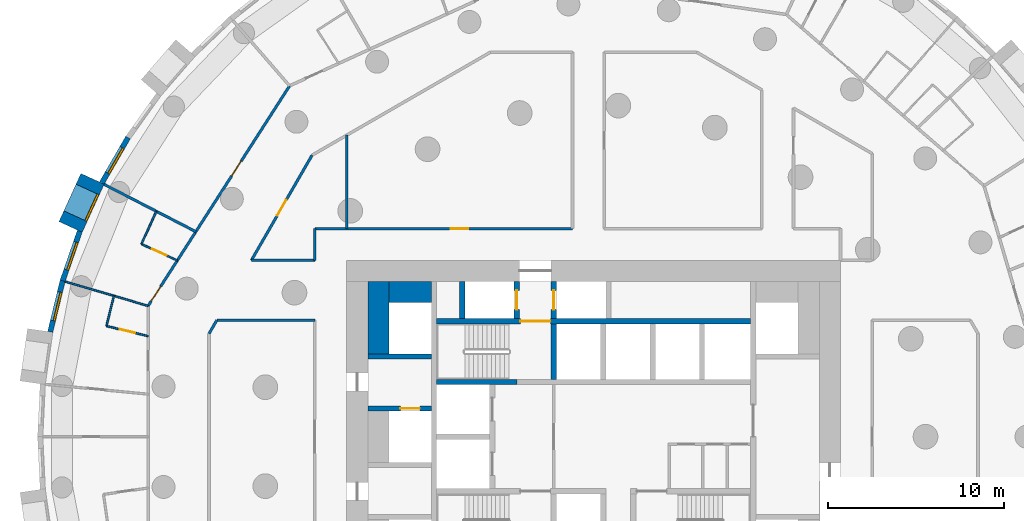
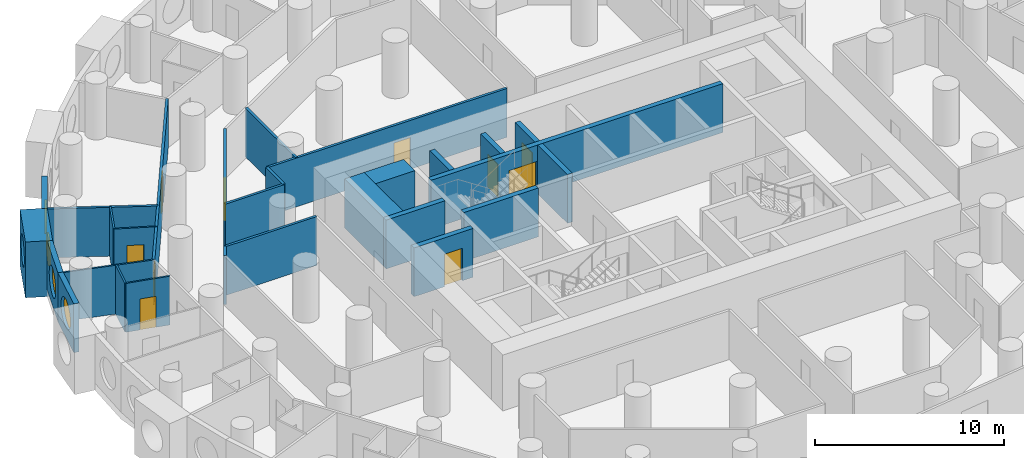
# One storey, part 7 of 12: 29 walls, 10 doors, 4 windows, 14 openings.
"""IFC4 building model written with IfcOpenShell, lengths in metres."""

from ifc_helpers import new_model, si_unit, direction, frame, frame_2d, origin, origin_2d, place, context, subcontext, project, spatial, rectangle, circle, extrude, material, layer, layer_set, type_object, element, fill, save


model = new_model("IFC4")

# Units and contexts
model_context = context("Model", 3, precision=1e-05, world=origin(), true_north=direction((0.0, 1.0)))
body_context = subcontext(model_context, "Body", "Model", "MODEL_VIEW")
ifc_project = project(units=[si_unit("LENGTHUNIT", "METRE"), si_unit("AREAUNIT", "SQUARE_METRE"), si_unit("VOLUMEUNIT", "CUBIC_METRE"), si_unit("PLANEANGLEUNIT", "RADIAN"), si_unit("MASSUNIT", "GRAM", prefix="KILO")], contexts=[model_context])

# Site, building, storey
site_placement = place(None, origin())
site = spatial("IfcSite", under=ifc_project, at=site_placement, CompositionType="ELEMENT")
building_placement = place(site_placement, origin())
building = spatial("IfcBuilding", under=site, at=building_placement, Name="Tracery Tower", CompositionType="ELEMENT")
storey_placement = place(building_placement, frame((0.0, 0.0, 111.0)))
storey = spatial("IfcBuildingStorey", under=building, at=storey_placement, Name="L28", CompositionType="ELEMENT", Elevation=111.0)

# Walls
ifc_material_1 = material(Name="Concrete C60/75", Category="concrete")
ifc_layer_1 = layer(ifc_material_1, 1.199951171875)
ifc_layer_set_1 = layer_set([ifc_layer_1], Name="Core strip wall 1200 C60")
wall_type_1 = type_object("IfcWallType", Name="Core strip wall 1200 C60", PredefinedType="SOLIDWALL", material=ifc_layer_set_1)
wall_1_placement = place(storey_placement, frame((-12.199951171875, 4.699951171875, 0.0), z_axis=(0.0, 0.0, 1.0), x_axis=(0.0, 1.0, 0.0)))
element("IfcWall", 1, at=wall_1_placement, inside=storey, type_object=wall_type_1, Name="L28 wing strip -1 4.55", PredefinedType="SOLIDWALL", context=body_context, shape_type="SweptSolid", body=[
    extrude(rectangle(XDim=4.10009765625, YDim=1.199951171875, at=frame_2d((2.050048828125, 0.0))), origin(), (0.0, 0.0, 1.0), 3.14990234375),
])
wall_2_placement = place(storey_placement, frame((-11.60009765625, 8.199951171875, 0.0), z_axis=(0.0, 0.0, 1.0), x_axis=(1.0, 0.0, 0.0)))
element("IfcWall", 2, at=wall_2_placement, inside=storey, type_object=wall_type_1, Name="L28 wing corner -1 +8.2", PredefinedType="SOLIDWALL", context=body_context, shape_type="SweptSolid", body=[
    extrude(rectangle(XDim=2.400146484375, YDim=1.199951171875, at=frame_2d((1.2001953125, 0.0))), origin(), (0.0, 0.0, 1.0), 3.14990234375),
])

# Wall, opening, window
ifc_material_2 = material(Name="Precast concrete C50/60", Category="concrete")
ifc_layer_2 = layer(ifc_material_2, 1.449951171875)
ifc_layer_set_2 = layer_set([ifc_layer_2], Name="Deep-set bay unit 3000 x 3600, slab edge 450")
wall_type_2 = type_object("IfcWallType", Name="Deep-set bay unit 3000 x 3600, slab edge 450", PredefinedType="ELEMENTEDWALL", material=ifc_layer_set_2)
wall_3_placement = place(storey_placement, frame((-28.40673828125, 14.6220703125, -0.449951171875), z_axis=(0.0, 0.0, 1.0), x_axis=(-0.415427028395, -0.909626508012, 0.0)))
wall_3 = element("IfcWall", 3, at=wall_3_placement, inside=storey, type_object=wall_type_2, Name="Deep-set bay unit 29 at L28", PredefinedType="ELEMENTEDWALL", context=body_context, shape_type="SweptSolid", body=[
    extrude(rectangle(XDim=3.000244140625, YDim=1.449951171875, at=frame_2d((1.5, 0.0))), origin(), (0.0, 0.0, 1.0), 3.599853515625),
])
opening_1_placement = place(wall_3_placement, frame((1.5, 0.0, 2.0)))
opening_1 = element("IfcOpeningElement", 4, at=opening_1_placement, cuts=wall_3, Name="Opening WN1", PredefinedType="OPENING", context=body_context, shape_type="SweptSolid", body=[
    extrude(circle(Radius=0.9000244140625, at=origin_2d()), frame((0.0, 0.73486328125, 0.0), z_axis=(0.0, -1.0, 0.0), x_axis=(1.0, 0.0, 0.0)), (0.0, 0.0, 1.0), 1.469970703125),
])
ifc_material_3 = material(Name="Aluminium frame with tinted double glazing", Category="aluminium")
window_type = type_object("IfcWindowType", Name="Round window 1800", PartitioningType="SINGLE_PANEL", PredefinedType="WINDOW", material=ifc_material_3)
window_1_placement = place(opening_1_placement, origin())
window_1 = element("IfcWindow", 5, at=window_1_placement, inside=storey, type_object=window_type, Name="Round window 29 at L28", OverallHeight=1.800048828125, OverallWidth=1.800048828125, PartitioningType="SINGLE_PANEL", PredefinedType="WINDOW", context=body_context, shape_type="SweptSolid", body=[
    extrude(circle(Radius=0.9000244140625, at=origin_2d()), frame((0.0, 0.69482421875, 0.0), z_axis=(0.0, -1.0, 0.0), x_axis=(1.0, 0.0, 0.0)), (0.0, 0.0, 1.0), 0.10009765625),
])
fill(opening_1, window_1)

ifc_material_4 = material(Name="Precast concrete C50/60", Category="concrete")
ifc_layer_3 = layer(ifc_material_4, 0.300048828125)
ifc_layer_set_3 = layer_set([ifc_layer_3], Name="Facade panel 3000 x 3150")
wall_type_3 = type_object("IfcWallType", Name="Facade panel 3000 x 3150", PredefinedType="SOLIDWALL", material=ifc_layer_set_3)
wall_4_placement = place(storey_placement, frame((-26.393798828125, 16.96240234375, 0.0), z_axis=(0.0, 0.0, 1.0), x_axis=(-0.500025049464, -0.866010940986, 0.0)))
wall_4 = element("IfcWall", 6, at=wall_4_placement, inside=storey, type_object=wall_type_3, Name="Facade panel 28 at L28", PredefinedType="SOLIDWALL", context=body_context, shape_type="SweptSolid", body=[
    extrude(rectangle(XDim=2.979736328125, YDim=0.300048828125, at=frame_2d((1.48974609375, 0.0))), origin(), (0.0, 0.0, 1.0), 3.14990234375),
])
opening_2_placement = place(wall_4_placement, frame((1.48974609375, 0.0, 1.5498046875)))
opening_2 = element("IfcOpeningElement", 7, at=opening_2_placement, cuts=wall_4, Name="Opening WN1", PredefinedType="OPENING", context=body_context, shape_type="SweptSolid", body=[
    extrude(circle(Radius=0.9000244140625, at=origin_2d()), frame((0.0, 0.159912109375, 0.0), z_axis=(0.0, -1.0, 0.0), x_axis=(1.0, 0.0, 0.0)), (0.0, 0.0, 1.0), 0.320068359375),
])
window_2_placement = place(opening_2_placement, origin())
window_2 = element("IfcWindow", 8, at=window_2_placement, inside=storey, type_object=window_type, Name="Round window 28 at L28", OverallHeight=1.800048828125, OverallWidth=1.800048828125, PartitioningType="SINGLE_PANEL", PredefinedType="WINDOW", context=body_context, shape_type="SweptSolid", body=[
    extrude(circle(Radius=0.9000244140625, at=origin_2d()), frame((0.0, 0.1201171875, 0.0), z_axis=(0.0, -1.0, 0.0), x_axis=(1.0, 0.0, 0.0)), (0.0, 0.0, 1.0), 0.10009765625),
])
fill(opening_2, window_2)

wall_5_placement = place(storey_placement, frame((-29.12890625, 11.655029296875, 0.0), z_axis=(0.0, 0.0, 1.0), x_axis=(-0.327071167136, -0.944999709856, 0.0)))
wall_5 = element("IfcWall", 9, at=wall_5_placement, inside=storey, type_object=wall_type_3, Name="Facade panel 30 at L28", PredefinedType="SOLIDWALL", context=body_context, shape_type="SweptSolid", body=[
    extrude(rectangle(XDim=2.979736328125, YDim=0.300048828125, at=frame_2d((1.48974609375, 0.0))), origin(), (0.0, 0.0, 1.0), 3.14990234375),
])
opening_3_placement = place(wall_5_placement, frame((1.48974609375, 0.0, 1.5498046875)))
opening_3 = element("IfcOpeningElement", 10, at=opening_3_placement, cuts=wall_5, Name="Opening WN1", PredefinedType="OPENING", context=body_context, shape_type="SweptSolid", body=[
    extrude(circle(Radius=0.9000244140625, at=origin_2d()), frame((0.0, 0.159912109375, 0.0), z_axis=(0.0, -1.0, 0.0), x_axis=(1.0, 0.0, 0.0)), (0.0, 0.0, 1.0), 0.320068359375),
])
window_3_placement = place(opening_3_placement, origin())
window_3 = element("IfcWindow", 11, at=window_3_placement, inside=storey, type_object=window_type, Name="Round window 30 at L28", OverallHeight=1.800048828125, OverallWidth=1.800048828125, PartitioningType="SINGLE_PANEL", PredefinedType="WINDOW", context=body_context, shape_type="SweptSolid", body=[
    extrude(circle(Radius=0.9000244140625, at=origin_2d()), frame((0.0, 0.1201171875, 0.0), z_axis=(0.0, -1.0, 0.0), x_axis=(1.0, 0.0, 0.0)), (0.0, 0.0, 1.0), 0.10009765625),
])
fill(opening_3, window_3)

wall_6_placement = place(storey_placement, frame((-30.103515625, 8.839111328125, 0.0), z_axis=(0.0, 0.0, 1.0), x_axis=(-0.235743081534, -0.971815414319, 0.0)))
wall_6 = element("IfcWall", 12, at=wall_6_placement, inside=storey, type_object=wall_type_3, Name="Facade panel 31 at L28", PredefinedType="SOLIDWALL", context=body_context, shape_type="SweptSolid", body=[
    extrude(rectangle(XDim=2.9794921875, YDim=0.300048828125, at=frame_2d((1.48974609375, 0.0))), origin(), (0.0, 0.0, 1.0), 3.14990234375),
])
opening_4_placement = place(wall_6_placement, frame((1.48974609375, 0.0, 1.5498046875)))
opening_4 = element("IfcOpeningElement", 13, at=opening_4_placement, cuts=wall_6, Name="Opening WN1", PredefinedType="OPENING", context=body_context, shape_type="SweptSolid", body=[
    extrude(circle(Radius=0.9000244140625, at=origin_2d()), frame((0.0, 0.159912109375, 0.0), z_axis=(0.0, -1.0, 0.0), x_axis=(1.0, 0.0, 0.0)), (0.0, 0.0, 1.0), 0.320068359375),
])
window_4_placement = place(opening_4_placement, origin())
window_4 = element("IfcWindow", 14, at=window_4_placement, inside=storey, type_object=window_type, Name="Round window 31 at L28", OverallHeight=1.800048828125, OverallWidth=1.800048828125, PartitioningType="SINGLE_PANEL", PredefinedType="WINDOW", context=body_context, shape_type="SweptSolid", body=[
    extrude(circle(Radius=0.9000244140625, at=origin_2d()), frame((0.0, 0.1201171875, 0.0), z_axis=(0.0, -1.0, 0.0), x_axis=(1.0, 0.0, 0.0)), (0.0, 0.0, 1.0), 0.10009765625),
])
fill(opening_4, window_4)

# Walls
ifc_material_5 = material(Name="Plasterboard on steel studs", Category="steel")
ifc_layer_4 = layer(ifc_material_5, 0.10009765625)
ifc_layer_set_4 = layer_set([ifc_layer_4], Name="Partition 100 stud")
wall_type_4 = type_object("IfcWallType", Name="Partition 100 stud", PredefinedType="PARTITIONING", material=ifc_layer_set_4)
wall_7_placement = place(storey_placement, frame((-29.958984375, 8.797119140625, 0.0), z_axis=(0.0, 0.0, 1.0), x_axis=(0.959434394536, -0.281931982189, 0.0)))
element("IfcWall", 15, at=wall_7_placement, inside=storey, type_object=wall_type_4, Name="Stud partition RA8-098", PredefinedType="PARTITIONING", context=body_context, shape_type="SweptSolid", body=[
    extrude(rectangle(XDim=2.876708984375, YDim=0.10009765625, at=frame_2d((1.4384765625, 0.0))), origin(), (0.0, 0.0, 1.0), 3.14990234375),
])
ifc_material_6 = material(Name="Plasterboard on steel studs", Category="steel")
ifc_layer_5 = layer(ifc_material_6, 0.10009765625)
ifc_layer_set_5 = layer_set([ifc_layer_5], Name="Partition 100 wet wall")
wall_type_5 = type_object("IfcWallType", Name="Partition 100 wet wall", PredefinedType="PARTITIONING", material=ifc_layer_set_5)
wall_8_placement = place(storey_placement, frame((-27.614990234375, 6.27294921875, 0.0), z_axis=(0.0, 0.0, 1.0), x_axis=(0.23598051436, 0.971757787127, 0.0)))
element("IfcWall", 16, at=wall_8_placement, inside=storey, type_object=wall_type_5, Name="Wet wall RA8-096", PredefinedType="PARTITIONING", context=body_context, shape_type="SweptSolid", body=[
    extrude(rectangle(XDim=1.762939453125, YDim=0.10009765625, at=frame_2d((0.88134765625, 0.0))), origin(), (0.0, 0.0, 1.0), 3.14990234375),
])

# Wall, opening, door
wall_9_placement = place(storey_placement, frame((-27.614990234375, 6.27294921875, 0.0), z_axis=(0.0, 0.0, 1.0), x_axis=(0.971814550876, -0.235746640921, 0.0)))
wall_9 = element("IfcWall", 17, at=wall_9_placement, inside=storey, type_object=wall_type_5, Name="Wet wall RA8-097", PredefinedType="PARTITIONING", context=body_context, shape_type="SweptSolid", body=[
    extrude(rectangle(XDim=2.4306640625, YDim=0.10009765625, at=frame_2d((1.21533203125, 0.0))), origin(), (0.0, 0.0, 1.0), 3.14990234375),
])
opening_5_placement = place(wall_9_placement, frame((0.764892578125, 0.0, 0.0)))
opening_5 = element("IfcOpeningElement", 18, at=opening_5_placement, cuts=wall_9, Name="Opening RA8-35", PredefinedType="OPENING", context=body_context, shape_type="SweptSolid", body=[
    extrude(rectangle(XDim=0.89990234375, YDim=2.0, at=frame_2d((0.449951171875, 1.0))), frame((0.0, 0.050048828125, 0.0), z_axis=(0.0, -1.0, 0.0), x_axis=(1.0, 0.0, 0.0)), (0.0, 0.0, 1.0), 0.10009765625),
])
ifc_material_7 = material(Name="Timber door leaf", Category="wood")
door_type_1 = type_object("IfcDoorType", Name="Door shower room 900", OperationType="NOTDEFINED", PredefinedType="DOOR", material=ifc_material_7)
door_1_placement = place(opening_5_placement, origin())
door_1 = element("IfcDoor", 19, at=door_1_placement, inside=storey, type_object=door_type_1, Name="Shower room door RA8-35", OperationType="SINGLE_SWING_LEFT", OverallHeight=2.0, OverallWidth=0.89990234375, PredefinedType="DOOR", context=body_context, shape_type="SweptSolid", body=[
    extrude(rectangle(XDim=0.89990234375, YDim=2.0, at=frame_2d((0.449951171875, 1.0))), frame((0.0, 0.02490234375, 0.0), z_axis=(0.0, -1.0, 0.0), x_axis=(1.0, 0.0, 0.0)), (0.0, 0.0, 1.0), 0.050048828125),
])
fill(opening_5, door_1)

# Walls
wall_10_placement = place(storey_placement, frame((-27.198974609375, 7.986083984375, 0.0), z_axis=(0.0, 0.0, 1.0), x_axis=(0.959541665722, -0.281566673708, 0.0)))
element("IfcWall", 20, at=wall_10_placement, inside=storey, type_object=wall_type_5, Name="Wet wall RA8-100", PredefinedType="PARTITIONING", context=body_context, shape_type="SweptSolid", body=[
    extrude(rectangle(XDim=2.028076171875, YDim=0.10009765625, at=frame_2d((1.01416015625, 0.0))), origin(), (0.0, 0.0, 1.0), 3.14990234375),
])
wall_11_placement = place(storey_placement, frame((-25.635986328125, 10.922119140625, 0.0), z_axis=(0.0, 0.0, 1.0), x_axis=(0.415361197493, 0.90965657015, 0.0)))
element("IfcWall", 21, at=wall_11_placement, inside=storey, type_object=wall_type_5, Name="Wet wall RA8-101", PredefinedType="PARTITIONING", context=body_context, shape_type="SweptSolid", body=[
    extrude(rectangle(XDim=2.041259765625, YDim=0.10009765625, at=frame_2d((1.0205078125, 0.0))), origin(), (0.0, 0.0, 1.0), 3.14990234375),
])

# Wall, opening, door
wall_12_placement = place(storey_placement, frame((-25.635986328125, 10.922119140625, 0.0), z_axis=(0.0, 0.0, 1.0), x_axis=(0.909641485443, -0.415394231978, 0.0)))
wall_12 = element("IfcWall", 22, at=wall_12_placement, inside=storey, type_object=wall_type_5, Name="Wet wall RA8-102", PredefinedType="PARTITIONING", context=body_context, shape_type="SweptSolid", body=[
    extrude(rectangle(XDim=2.24169921875, YDim=0.10009765625, at=frame_2d((1.120849609375, 0.0))), origin(), (0.0, 0.0, 1.0), 3.14990234375),
])
opening_6_placement = place(wall_12_placement, frame((0.6708984375, 0.0, 0.0)))
opening_6 = element("IfcOpeningElement", 23, at=opening_6_placement, cuts=wall_12, Name="Opening RA8-37", PredefinedType="OPENING", context=body_context, shape_type="SweptSolid", body=[
    extrude(rectangle(XDim=0.89990234375, YDim=2.0400390625, at=frame_2d((0.449951171875, 1.02001953125))), frame((0.0, 0.050048828125, 0.0), z_axis=(0.0, -1.0, 0.0), x_axis=(1.0, 0.0, 0.0)), (0.0, 0.0, 1.0), 0.10009765625),
])
ifc_material_8 = material(Name="Timber door leaf", Category="wood")
door_type_2 = type_object("IfcDoorType", Name="Door en-suite 900", OperationType="NOTDEFINED", PredefinedType="DOOR", material=ifc_material_8)
door_2_placement = place(opening_6_placement, origin())
door_2 = element("IfcDoor", 24, at=door_2_placement, inside=storey, type_object=door_type_2, Name="En-suite door RA8-37", OperationType="SINGLE_SWING_RIGHT", OverallHeight=2.0400390625, OverallWidth=0.89990234375, PredefinedType="DOOR", context=body_context, shape_type="SweptSolid", body=[
    extrude(rectangle(XDim=0.89990234375, YDim=2.0400390625, at=frame_2d((0.449951171875, 1.02001953125))), frame((0.0, 0.02490234375, 0.0), z_axis=(0.0, -1.0, 0.0), x_axis=(1.0, 0.0, 0.0)), (0.0, 0.0, 1.0), 0.050048828125),
])
fill(opening_6, door_2)

# Walls
ifc_material_9 = material(Name="Plasterboard on steel studs", Category="steel")
ifc_layer_6 = layer(ifc_material_9, 0.14990234375)
ifc_layer_set_6 = layer_set([ifc_layer_6], Name="Partition 150 acoustic unit wall")
wall_type_6 = type_object("IfcWallType", Name="Partition 150 acoustic unit wall", PredefinedType="PARTITIONING", material=ifc_layer_set_6)
wall_13_placement = place(storey_placement, frame((-14.0, 11.800048828125, 0.0), z_axis=(0.0, 0.0, 1.0), x_axis=(0.0, 1.0, 0.0)))
element("IfcWall", 25, at=wall_13_placement, inside=storey, type_object=wall_type_6, Name="Unit wall RA8-059", PredefinedType="PARTITIONING", context=body_context, shape_type="SweptSolid", body=[
    extrude(rectangle(XDim=5.2919921875, YDim=0.14990234375, at=frame_2d((2.64599609375, 0.0))), origin(), (0.0, 0.0, 1.0), 3.14990234375),
])
wall_14_placement = place(storey_placement, frame((-27.7529296875, 14.30810546875, 0.0), z_axis=(0.0, 0.0, 1.0), x_axis=(0.88877955153, -0.45833493079, 0.0)))
element("IfcWall", 26, at=wall_14_placement, inside=storey, type_object=wall_type_6, Name="Unit wall RA8-094", PredefinedType="PARTITIONING", context=body_context, shape_type="SweptSolid", body=[
    extrude(rectangle(XDim=5.856201171875, YDim=0.14990234375, at=frame_2d((2.92822265625, 0.0))), origin(), (0.0, 0.0, 1.0), 3.14990234375),
])

# Wall, opening, door
ifc_material_10 = material(Name="Plasterboard on steel studs", Category="steel")
ifc_layer_7 = layer(ifc_material_10, 0.14990234375)
ifc_layer_set_7 = layer_set([ifc_layer_7], Name="Partition 150 corridor wall")
wall_type_7 = type_object("IfcWallType", Name="Partition 150 corridor wall", PredefinedType="PARTITIONING", material=ifc_layer_set_7)
wall_15_placement = place(storey_placement, frame((-15.800048828125, 11.800048828125, 0.0), z_axis=(0.0, 0.0, 1.0), x_axis=(1.0, 0.0, 0.0)))
wall_15 = element("IfcWall", 27, at=wall_15_placement, inside=storey, type_object=wall_type_7, Name="Corridor wall RA8-001", PredefinedType="PARTITIONING", context=body_context, shape_type="SweptSolid", body=[
    extrude(rectangle(XDim=14.612060546875, YDim=0.14990234375, at=frame_2d((7.30615234375, 0.0))), origin(), (0.0, 0.0, 1.0), 3.14990234375),
])
opening_7_placement = place(wall_15_placement, frame((7.7041015625, 0.0, 0.0)))
opening_7 = element("IfcOpeningElement", 28, at=opening_7_placement, cuts=wall_15, Name="Opening RA8-01", PredefinedType="OPENING", context=body_context, shape_type="SweptSolid", body=[
    extrude(rectangle(XDim=1.0, YDim=2.0400390625, at=frame_2d((0.5, 1.02001953125))), frame((0.0, 0.074951171875, 0.0), z_axis=(0.0, -1.0, 0.0), x_axis=(1.0, 0.0, 0.0)), (0.0, 0.0, 1.0), 0.14990234375),
])
ifc_material_11 = material(Name="Timber door leaf", Category="wood")
door_type_3 = type_object("IfcDoorType", Name="Door communal room 1000", OperationType="NOTDEFINED", PredefinedType="DOOR", material=ifc_material_11)
door_3_placement = place(opening_7_placement, origin())
door_3 = element("IfcDoor", 29, at=door_3_placement, inside=storey, type_object=door_type_3, Name="Communal room door RA8-01", OperationType="SINGLE_SWING_RIGHT", OverallHeight=2.0400390625, OverallWidth=1.0, PredefinedType="DOOR", context=body_context, shape_type="SweptSolid", body=[
    extrude(rectangle(XDim=1.0, YDim=2.0400390625, at=frame_2d((0.5, 1.02001953125))), frame((0.0, 0.02490234375, 0.0), z_axis=(0.0, -1.0, 0.0), x_axis=(1.0, 0.0, 0.0)), (0.0, 0.0, 1.0), 0.050048828125),
])
fill(opening_7, door_3)

# Wall
wall_16_placement = place(storey_placement, frame((-15.800048828125, 10.0, 0.0), z_axis=(0.0, 0.0, 1.0), x_axis=(0.0, 1.0, 0.0)))
element("IfcWall", 30, at=wall_16_placement, inside=storey, type_object=wall_type_7, Name="Corridor wall RA8-005", PredefinedType="PARTITIONING", context=body_context, shape_type="SweptSolid", body=[
    extrude(rectangle(XDim=1.800048828125, YDim=0.14990234375, at=frame_2d((0.89990234375, 0.0))), origin(), (0.0, 0.0, 1.0), 3.14990234375),
])

# Wall, openings, doors
wall_17_placement = place(storey_placement, frame((-25.2548828125, 7.416259765625, 0.0), z_axis=(0.0, 0.0, 1.0), x_axis=(0.540805851332, 0.841147449123, 0.0)))
wall_17 = element("IfcWall", 31, at=wall_17_placement, inside=storey, type_object=wall_type_7, Name="Corridor wall RA8-036", PredefinedType="PARTITIONING", context=body_context, shape_type="SweptSolid", body=[
    extrude(rectangle(XDim=14.829345703125, YDim=0.14990234375, at=frame_2d((7.41455078125, 0.0))), origin(), (0.0, 0.0, 1.0), 3.14990234375),
])
opening_8_placement = place(wall_17_placement, frame((8.75390625, 0.0, 0.0)))
opening_8 = element("IfcOpeningElement", 32, at=opening_8_placement, cuts=wall_17, Name="Opening RA8-32", PredefinedType="OPENING", context=body_context, shape_type="SweptSolid", body=[
    extrude(rectangle(XDim=1.0, YDim=2.0400390625, at=frame_2d((0.5, 1.02001953125))), frame((0.0, 0.074951171875, 0.0), z_axis=(0.0, -1.0, 0.0), x_axis=(1.0, 0.0, 0.0)), (0.0, 0.0, 1.0), 0.14990234375),
])
opening_9_placement = place(wall_17_placement, frame((0.31591796875, 0.0, 0.0)))
opening_9 = element("IfcOpeningElement", 33, at=opening_9_placement, cuts=wall_17, Name="Opening RA8-36", PredefinedType="OPENING", context=body_context, shape_type="SweptSolid", body=[
    extrude(rectangle(XDim=1.0, YDim=2.10009765625, at=frame_2d((0.5, 1.050048828125))), frame((0.0, 0.074951171875, 0.0), z_axis=(0.0, -1.0, 0.0), x_axis=(1.0, 0.0, 0.0)), (0.0, 0.0, 1.0), 0.14990234375),
])
door_4_placement = place(opening_8_placement, origin())
door_4 = element("IfcDoor", 34, at=door_4_placement, inside=storey, type_object=door_type_3, Name="Communal room door RA8-32", OperationType="SINGLE_SWING_RIGHT", OverallHeight=2.0400390625, OverallWidth=1.0, PredefinedType="DOOR", context=body_context, shape_type="SweptSolid", body=[
    extrude(rectangle(XDim=1.0, YDim=2.0400390625, at=frame_2d((0.5, 1.02001953125))), frame((0.0, 0.02490234375, 0.0), z_axis=(0.0, -1.0, 0.0), x_axis=(1.0, 0.0, 0.0)), (0.0, 0.0, 1.0), 0.050048828125),
])
fill(opening_8, door_4)
ifc_material_12 = material(Name="Timber door leaf", Category="wood")
door_type_4 = type_object("IfcDoorType", Name="Door unit entrance 1000", OperationType="NOTDEFINED", PredefinedType="DOOR", material=ifc_material_12)
door_5_placement = place(opening_9_placement, origin())
door_5 = element("IfcDoor", 35, at=door_5_placement, inside=storey, type_object=door_type_4, Name="Unit entrance door RA8-36", OperationType="SINGLE_SWING_LEFT", OverallHeight=2.10009765625, OverallWidth=1.0, PredefinedType="DOOR", context=body_context, shape_type="SweptSolid", body=[
    extrude(rectangle(XDim=1.0, YDim=2.10009765625, at=frame_2d((0.5, 1.050048828125))), frame((0.0, 0.02490234375, 0.0), z_axis=(0.0, -1.0, 0.0), x_axis=(1.0, 0.0, 0.0)), (0.0, 0.0, 1.0), 0.050048828125),
])
fill(opening_9, door_5)

# Walls
wall_18_placement = place(storey_placement, frame((-21.364013671875, 6.60009765625, 0.0), z_axis=(0.0, 0.0, 1.0), x_axis=(1.0, 0.0, 0.0)))
element("IfcWall", 36, at=wall_18_placement, inside=storey, type_object=wall_type_7, Name="Corridor wall RA8-038", PredefinedType="PARTITIONING", context=body_context, shape_type="SweptSolid", body=[
    extrude(rectangle(XDim=5.56396484375, YDim=0.14990234375, at=frame_2d((2.781982421875, 0.0))), origin(), (0.0, 0.0, 1.0), 3.14990234375),
])
wall_19_placement = place(storey_placement, frame((-21.802001953125, 5.842041015625, 0.0), z_axis=(0.0, 0.0, 1.0), x_axis=(0.500277597875, 0.865865073245, 0.0)))
element("IfcWall", 37, at=wall_19_placement, inside=storey, type_object=wall_type_7, Name="Corridor wall RA8-039", PredefinedType="PARTITIONING", context=body_context, shape_type="SweptSolid", body=[
    extrude(rectangle(XDim=0.87548828125, YDim=0.14990234375, at=frame_2d((0.437744140625, 0.0))), origin(), (0.0, 0.0, 1.0), 3.14990234375),
])

# Wall, opening, door
wall_20_placement = place(storey_placement, frame((-19.40087890625, 10.0, 0.0), z_axis=(0.0, 0.0, 1.0), x_axis=(0.499992689227, 0.86602962462, 0.0)))
wall_20 = element("IfcWall", 38, at=wall_20_placement, inside=storey, type_object=wall_type_7, Name="Corridor wall RA8-043", PredefinedType="PARTITIONING", context=body_context, shape_type="SweptSolid", body=[
    extrude(rectangle(XDim=6.8818359375, YDim=0.14990234375, at=frame_2d((3.44091796875, 0.0))), origin(), (0.0, 0.0, 1.0), 3.14990234375),
])
opening_10_placement = place(wall_20_placement, frame((2.94091796875, 0.0, 0.0)))
opening_10 = element("IfcOpeningElement", 39, at=opening_10_placement, cuts=wall_20, Name="Opening RA8-09", PredefinedType="OPENING", context=body_context, shape_type="SweptSolid", body=[
    extrude(rectangle(XDim=1.0, YDim=2.0400390625, at=frame_2d((0.5, 1.02001953125))), frame((0.0, 0.074951171875, 0.0), z_axis=(0.0, -1.0, 0.0), x_axis=(1.0, 0.0, 0.0)), (0.0, 0.0, 1.0), 0.14990234375),
])
door_6_placement = place(opening_10_placement, origin())
door_6 = element("IfcDoor", 40, at=door_6_placement, inside=storey, type_object=door_type_3, Name="Communal room door RA8-09", OperationType="SINGLE_SWING_LEFT", OverallHeight=2.0400390625, OverallWidth=1.0, PredefinedType="DOOR", context=body_context, shape_type="SweptSolid", body=[
    extrude(rectangle(XDim=1.0, YDim=2.0400390625, at=frame_2d((0.5, 1.02001953125))), frame((0.0, 0.02490234375, 0.0), z_axis=(0.0, -1.0, 0.0), x_axis=(1.0, 0.0, 0.0)), (0.0, 0.0, 1.0), 0.050048828125),
])
fill(opening_10, door_6)

# Walls
wall_21_placement = place(storey_placement, frame((-19.40087890625, 10.0, 0.0), z_axis=(0.0, 0.0, 1.0), x_axis=(1.0, 0.0, 0.0)))
element("IfcWall", 41, at=wall_21_placement, inside=storey, type_object=wall_type_7, Name="Corridor wall RA8-044", PredefinedType="PARTITIONING", context=body_context, shape_type="SweptSolid", body=[
    extrude(rectangle(XDim=3.600830078125, YDim=0.14990234375, at=frame_2d((1.80029296875, 0.0))), origin(), (0.0, 0.0, 1.0), 3.14990234375),
])
ifc_material_13 = material(Name="Concrete C60/75", Category="concrete")
ifc_layer_8 = layer(ifc_material_13, 0.300048828125)
ifc_layer_set_8 = layer_set([ifc_layer_8], Name="Shaft wall 300 C60")
wall_type_8 = type_object("IfcWallType", Name="Shaft wall 300 C60", PredefinedType="SOLIDWALL", material=ifc_layer_set_8)
wall_22_placement = place(storey_placement, frame((-7.449951171875, 6.699951171875, 0.0), z_axis=(0.0, 0.0, 1.0), x_axis=(0.0, 1.0, 0.0)))
element("IfcWall", 42, at=wall_22_placement, inside=storey, type_object=wall_type_8, Name="L28 LR sep -7.45", PredefinedType="SOLIDWALL", context=body_context, shape_type="SweptSolid", body=[
    extrude(rectangle(XDim=2.10009765625, YDim=0.300048828125, at=frame_2d((1.050048828125, 0.0))), origin(), (0.0, 0.0, 1.0), 3.14990234375),
])

# Wall, opening, door
wall_23_placement = place(storey_placement, frame((-4.35009765625, 6.699951171875, 0.0), z_axis=(0.0, 0.0, 1.0), x_axis=(0.0, 1.0, 0.0)))
wall_23 = element("IfcWall", 43, at=wall_23_placement, inside=storey, type_object=wall_type_8, Name="L28 LR sep -4.35", PredefinedType="SOLIDWALL", context=body_context, shape_type="SweptSolid", body=[
    extrude(rectangle(XDim=2.10009765625, YDim=0.300048828125, at=frame_2d((1.050048828125, 0.0))), origin(), (0.0, 0.0, 1.0), 3.14990234375),
])
opening_11_placement = place(wall_23_placement, frame((0.5, 0.0, 0.0)))
opening_11 = element("IfcOpeningElement", 44, at=opening_11_placement, cuts=wall_23, Name="Opening KD50", PredefinedType="OPENING", context=body_context, shape_type="SweptSolid", body=[
    extrude(rectangle(XDim=1.10009765625, YDim=2.10009765625, at=frame_2d((0.550048828125, 1.050048828125))), frame((0.0, 0.14990234375, 0.0), z_axis=(0.0, -1.0, 0.0), x_axis=(1.0, 0.0, 0.0)), (0.0, 0.0, 1.0), 0.300048828125),
])
ifc_material_14 = material(Name="Steel fire door", Category="steel")
door_type_5 = type_object("IfcDoorType", Name="Landing door 1100", OperationType="NOTDEFINED", PredefinedType="DOOR", material=ifc_material_14)
door_7_placement = place(opening_11_placement, origin())
door_7 = element("IfcDoor", 45, at=door_7_placement, inside=storey, type_object=door_type_5, Name="Landing door LR3", OperationType="SLIDING_TO_RIGHT", OverallHeight=2.10009765625, OverallWidth=1.10009765625, PredefinedType="DOOR", context=body_context, shape_type="SweptSolid", body=[
    extrude(rectangle(XDim=1.10009765625, YDim=2.10009765625, at=frame_2d((0.550048828125, 1.050048828125))), frame((0.0, 0.02490234375, 0.0), z_axis=(0.0, -1.0, 0.0), x_axis=(1.0, 0.0, 0.0)), (0.0, 0.0, 1.0), 0.050048828125),
])
fill(opening_11, door_7)

# Wall
wall_24_placement = place(storey_placement, frame((-12.800048828125, 4.550048828125, 0.0), z_axis=(0.0, 0.0, 1.0), x_axis=(1.0, 0.0, 0.0)))
element("IfcWall", 46, at=wall_24_placement, inside=storey, type_object=wall_type_8, Name="L28 wing shaft wall -1 +4.55", PredefinedType="SOLIDWALL", context=body_context, shape_type="SweptSolid", body=[
    extrude(rectangle(XDim=3.60009765625, YDim=0.300048828125, at=frame_2d((1.800048828125, 0.0))), origin(), (0.0, 0.0, 1.0), 3.14990234375),
])

# Wall, opening, door
wall_25_placement = place(storey_placement, frame((-12.800048828125, 1.60009765625, 0.0), z_axis=(0.0, 0.0, 1.0), x_axis=(1.0, 0.0, 0.0)))
wall_25 = element("IfcWall", 47, at=wall_25_placement, inside=storey, type_object=wall_type_8, Name="L28 wing shaft wall -1 +1.60", PredefinedType="SOLIDWALL", context=body_context, shape_type="SweptSolid", body=[
    extrude(rectangle(XDim=3.60009765625, YDim=0.300048828125, at=frame_2d((1.800048828125, 0.0))), origin(), (0.0, 0.0, 1.0), 3.14990234375),
])
opening_12_placement = place(wall_25_placement, frame((1.85009765625, 0.0, 0.0)))
opening_12 = element("IfcOpeningElement", 48, at=opening_12_placement, cuts=wall_25, Name="Opening KD50", PredefinedType="OPENING", context=body_context, shape_type="SweptSolid", body=[
    extrude(rectangle(XDim=1.10009765625, YDim=2.10009765625, at=frame_2d((0.550048828125, 1.050048828125))), frame((0.0, 0.14990234375, 0.0), z_axis=(0.0, -1.0, 0.0), x_axis=(1.0, 0.0, 0.0)), (0.0, 0.0, 1.0), 0.300048828125),
])
door_8_placement = place(opening_12_placement, origin())
door_8 = element("IfcDoor", 49, at=door_8_placement, inside=storey, type_object=door_type_5, Name="Landing door LR1", OperationType="SLIDING_TO_RIGHT", OverallHeight=2.10009765625, OverallWidth=1.10009765625, PredefinedType="DOOR", context=body_context, shape_type="SweptSolid", body=[
    extrude(rectangle(XDim=1.10009765625, YDim=2.10009765625, at=frame_2d((0.550048828125, 1.050048828125))), frame((0.0, 0.02490234375, 0.0), z_axis=(0.0, -1.0, 0.0), x_axis=(1.0, 0.0, 0.0)), (0.0, 0.0, 1.0), 0.050048828125),
])
fill(opening_12, door_8)

# Walls
ifc_material_15 = material(Name="Concrete C60/75", Category="concrete")
ifc_layer_9 = layer(ifc_material_15, 0.300048828125)
ifc_layer_set_9 = layer_set([ifc_layer_9], Name="Stair wall 300 C60")
wall_type_9 = type_object("IfcWallType", Name="Stair wall 300 C60", PredefinedType="SOLIDWALL", material=ifc_layer_set_9)
wall_26_placement = place(storey_placement, frame((-8.89990234375, 3.10009765625, 0.0), z_axis=(0.0, 0.0, 1.0), x_axis=(1.0, 0.0, 0.0)))
element("IfcWall", 50, at=wall_26_placement, inside=storey, type_object=wall_type_9, Name="L28 row N W", PredefinedType="SOLIDWALL", context=body_context, shape_type="SweptSolid", body=[
    extrude(rectangle(XDim=4.5498046875, YDim=0.300048828125, at=frame_2d((2.27490234375, 0.0))), origin(), (0.0, 0.0, 1.0), 3.14990234375),
])
wall_27_placement = place(storey_placement, frame((-2.25, 3.25, 0.0), z_axis=(0.0, 0.0, 1.0), x_axis=(0.0, 1.0, 0.0)))
element("IfcWall", 51, at=wall_27_placement, inside=storey, type_object=wall_type_9, Name="L28 ST3 E", PredefinedType="SOLIDWALL", context=body_context, shape_type="SweptSolid", body=[
    extrude(rectangle(XDim=3.14990234375, YDim=0.300048828125, at=frame_2d((1.574951171875, 0.0))), origin(), (0.0, 0.0, 1.0), 3.14990234375),
])

# Wall, opening, door
wall_28_placement = place(storey_placement, frame((-8.89990234375, 6.550048828125, 0.0), z_axis=(0.0, 0.0, 1.0), x_axis=(1.0, 0.0, 0.0)))
wall_28 = element("IfcWall", 52, at=wall_28_placement, inside=storey, type_object=wall_type_9, Name="L28 F N", PredefinedType="SOLIDWALL", context=body_context, shape_type="SweptSolid", body=[
    extrude(rectangle(XDim=17.7998046875, YDim=0.300048828125, at=frame_2d((8.89990234375, 0.0))), origin(), (0.0, 0.0, 1.0), 3.14990234375),
])
opening_13_placement = place(wall_28_placement, frame((4.75, 0.0, 0.0)))
opening_13 = element("IfcOpeningElement", 53, at=opening_13_placement, cuts=wall_28, Name="Opening KD3", PredefinedType="OPENING", context=body_context, shape_type="SweptSolid", body=[
    extrude(rectangle(XDim=1.699951171875, YDim=2.10009765625, at=frame_2d((0.85009765625, 1.050048828125))), frame((0.0, 0.14990234375, 0.0), z_axis=(0.0, -1.0, 0.0), x_axis=(1.0, 0.0, 0.0)), (0.0, 0.0, 1.0), 0.300048828125),
])
ifc_material_16 = material(Name="Steel fire door", Category="steel")
door_type_6 = type_object("IfcDoorType", Name="Core stair door 1700 double", OperationType="NOTDEFINED", PredefinedType="DOOR", material=ifc_material_16)
door_9_placement = place(opening_13_placement, origin())
door_9 = element("IfcDoor", 54, at=door_9_placement, inside=storey, type_object=door_type_6, Name="Stair door ST3 N", OperationType="DOUBLE_DOOR_SINGLE_SWING", OverallHeight=2.10009765625, OverallWidth=1.699951171875, PredefinedType="DOOR", context=body_context, shape_type="SweptSolid", body=[
    extrude(rectangle(XDim=1.699951171875, YDim=2.10009765625, at=frame_2d((0.85009765625, 1.050048828125))), frame((0.0, 0.02490234375, 0.0), z_axis=(0.0, -1.0, 0.0), x_axis=(1.0, 0.0, 0.0)), (0.0, 0.0, 1.0), 0.050048828125),
])
fill(opening_13, door_9)

wall_29_placement = place(storey_placement, frame((-2.25, 6.699951171875, 0.0), z_axis=(0.0, 0.0, 1.0), x_axis=(0.0, 1.0, 0.0)))
wall_29 = element("IfcWall", 55, at=wall_29_placement, inside=storey, type_object=wall_type_9, Name="L28 ST3 E out", PredefinedType="SOLIDWALL", context=body_context, shape_type="SweptSolid", body=[
    extrude(rectangle(XDim=2.10009765625, YDim=0.300048828125, at=frame_2d((1.050048828125, 0.0))), origin(), (0.0, 0.0, 1.0), 3.14990234375),
])
opening_14_placement = place(wall_29_placement, frame((0.5, 0.0, 0.0)))
opening_14 = element("IfcOpeningElement", 56, at=opening_14_placement, cuts=wall_29, Name="Opening KD49", PredefinedType="OPENING", context=body_context, shape_type="SweptSolid", body=[
    extrude(rectangle(XDim=1.10009765625, YDim=2.10009765625, at=frame_2d((0.550048828125, 1.050048828125))), frame((0.0, 0.14990234375, 0.0), z_axis=(0.0, -1.0, 0.0), x_axis=(1.0, 0.0, 0.0)), (0.0, 0.0, 1.0), 0.300048828125),
])
door_10_placement = place(opening_14_placement, origin())
door_10 = element("IfcDoor", 57, at=door_10_placement, inside=storey, type_object=door_type_5, Name="Landing door LR2", OperationType="SLIDING_TO_LEFT", OverallHeight=2.10009765625, OverallWidth=1.10009765625, PredefinedType="DOOR", context=body_context, shape_type="SweptSolid", body=[
    extrude(rectangle(XDim=1.10009765625, YDim=2.10009765625, at=frame_2d((0.550048828125, 1.050048828125))), frame((0.0, 0.02490234375, 0.0), z_axis=(0.0, -1.0, 0.0), x_axis=(1.0, 0.0, 0.0)), (0.0, 0.0, 1.0), 0.050048828125),
])
fill(opening_14, door_10)

save(model, "model.ifc")
